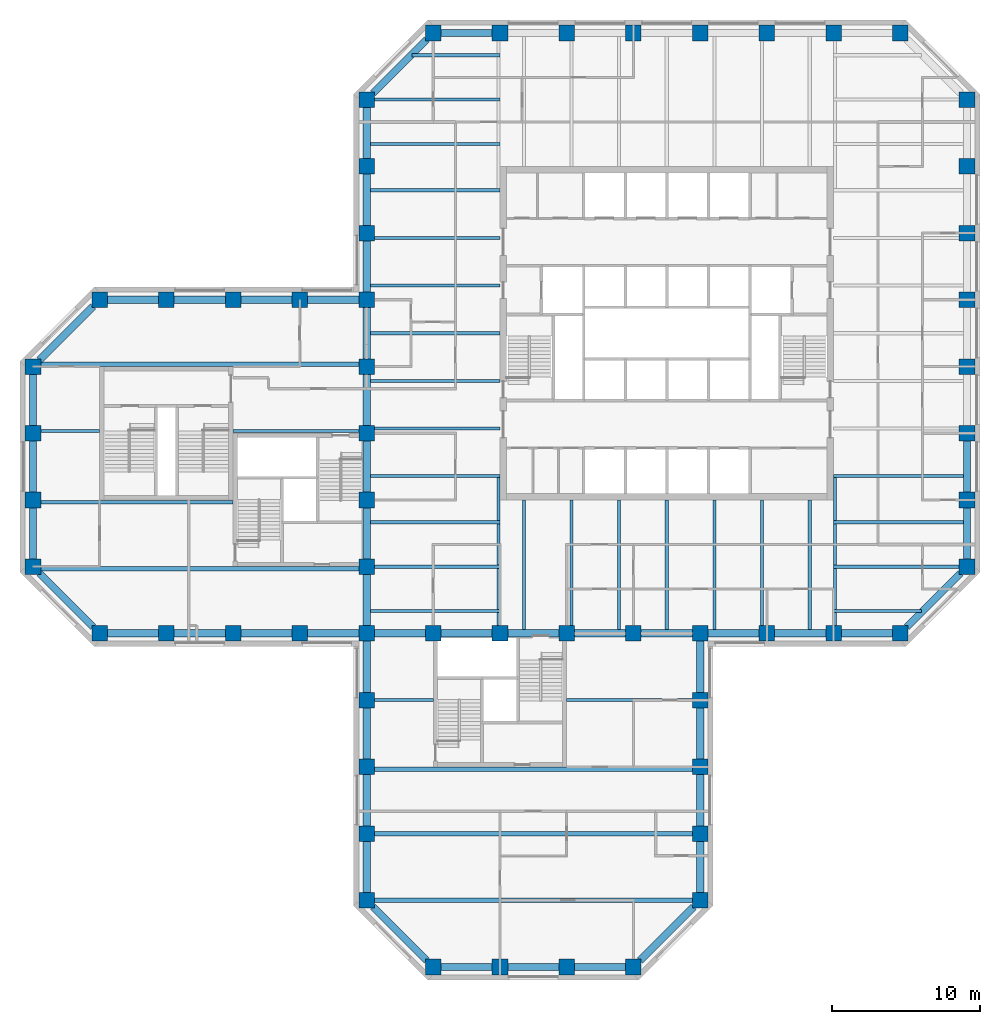
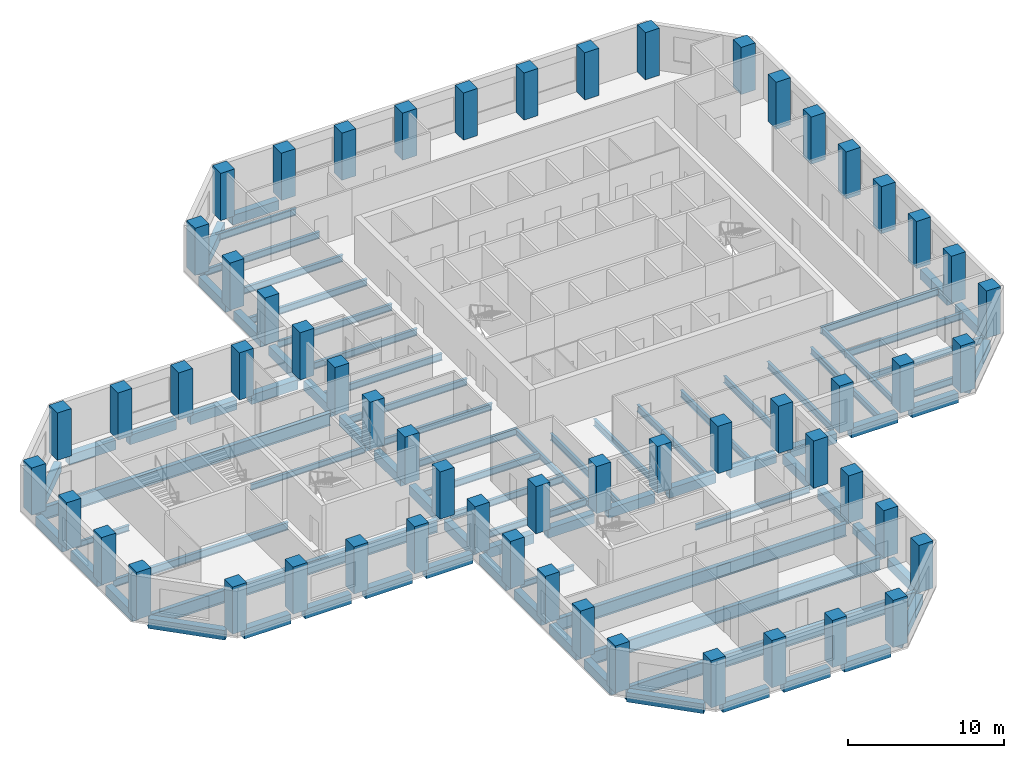
# One storey, part 1 of 11: 83 beams, 57 columns.
"""IFC4 building model written with IfcOpenShell, lengths in metres."""

from ifc_helpers import new_model, si_unit, direction, frame, origin, origin_2d, place, context, subcontext, project, spatial, rectangle, i_section, extrude, material, material_profile, profile_set, type_object, element, save


model = new_model("IFC4")

# Units and contexts
model_context = context("Model", 3, precision=1e-05, world=origin(), true_north=direction((0.0, 1.0)))
body_context = subcontext(model_context, "Body", "Model", "MODEL_VIEW")
ifc_project = project(units=[si_unit("LENGTHUNIT", "METRE"), si_unit("AREAUNIT", "SQUARE_METRE"), si_unit("VOLUMEUNIT", "CUBIC_METRE"), si_unit("PLANEANGLEUNIT", "RADIAN"), si_unit("MASSUNIT", "GRAM", prefix="KILO")], contexts=[model_context])

# Site, building, storey
site_placement = place(None, origin())
site = spatial("IfcSite", under=ifc_project, at=site_placement, CompositionType="ELEMENT")
building_placement = place(site_placement, origin())
building = spatial("IfcBuilding", under=site, at=building_placement, Name="Quoin Convention Tower", CompositionType="ELEMENT")
storey_placement = place(building_placement, frame((0.0, 0.0, 104.800048828125)))
storey = spatial("IfcBuildingStorey", under=building, at=storey_placement, Name="L27", CompositionType="ELEMENT", Elevation=104.800048828125)

# Columns
ifc_material_1 = material(Name="Concrete C65", Category="concrete")
ifc_material_profile_1 = material_profile(ifc_material_1, rectangle(XDim=1.050048828125, YDim=1.050048828125, at=origin_2d()), Name="RC 1050x1050")
ifc_profile_set_1 = profile_set([ifc_material_profile_1], Name="Concrete C65")
column_type = type_object("IfcColumnType", Name="RC 1050x1050 C65", PredefinedType="COLUMN", material=ifc_profile_set_1)
for number, where, z_axis, x_axis, name in (
    (1, (40.5, 18.0, 0.0), (0.0, 0.0, 1.0), (1.0, 0.0, 0.0), "col-L27-40500_18000"),
    (2, (45.0, 18.0, 0.0), (0.0, 0.0, 1.0), (1.0, 0.0, 0.0), "col-L27-45000_18000"),
    (3, (49.5, 18.0, 0.0), (0.0, 0.0, 1.0), (1.0, 0.0, 0.0), "col-L27-49500_18000"),
    (4, (54.0, 18.0, 0.0), (0.0, 0.0, 1.0), (1.0, 0.0, 0.0), "col-L27-54000_18000"),
    (5, (36.0, 22.5, 0.0), (0.0, 0.0, 1.0), (1.0, 0.0, 0.0), "col-L27-36000_22500"),
    (6, (58.5, 22.5, 0.0), (0.0, 0.0, 1.0), (1.0, 0.0, 0.0), "col-L27-58500_22500"),
    (7, (36.0, 27.0, 0.0), (0.0, 0.0, 1.0), (1.0, 0.0, 0.0), "col-L27-36000_27000"),
    (8, (58.5, 27.0, 0.0), (0.0, 0.0, 1.0), (1.0, 0.0, 0.0), "col-L27-58500_27000"),
    (9, (36.0, 31.5, 0.0), (0.0, 0.0, 1.0), (1.0, 0.0, 0.0), "col-L27-36000_31500"),
    (10, (58.5, 31.5, 0.0), (0.0, 0.0, 1.0), (1.0, 0.0, 0.0), "col-L27-58500_31500"),
    (11, (36.0, 36.0, 0.0), (0.0, 0.0, 1.0), (1.0, 0.0, 0.0), "col-L27-36000_36000"),
    (12, (58.5, 36.0, 0.0), (0.0, 0.0, 1.0), (1.0, 0.0, 0.0), "col-L27-58500_36000"),
    (13, (18.0, 40.5, 0.0), (0.0, 0.0, 1.0), (1.0, 0.0, 0.0), "col-L27-18000_40500"),
    (14, (22.5, 40.5, 0.0), (0.0, 0.0, 1.0), (1.0, 0.0, 0.0), "col-L27-22500_40500"),
    (15, (27.0, 40.5, 0.0), (0.0, 0.0, 1.0), (1.0, 0.0, 0.0), "col-L27-27000_40500"),
    (16, (31.5, 40.5, 0.0), (0.0, 0.0, 1.0), (1.0, 0.0, 0.0), "col-L27-31500_40500"),
    (17, (36.0, 40.5, 0.0), (0.0, 0.0, 1.0), (1.0, 0.0, 0.0), "col-L27-36000_40500"),
    (18, (40.5, 40.5, 0.0), (0.0, 0.0, 1.0), (1.0, 0.0, 0.0), "web-L27-40500_40500"),
    (19, (45.0, 40.5, 0.0), (0.0, 0.0, 1.0), (1.0, 0.0, 0.0), "web-L27-45000_40500"),
    (20, (49.5, 40.5, 0.0), (0.0, 0.0, 1.0), (1.0, 0.0, 0.0), "web-L27-49500_40500"),
    (21, (54.0, 40.5, 0.0), (0.0, 0.0, 1.0), (1.0, 0.0, 0.0), "web-L27-54000_40500"),
    (22, (58.5, 40.5, 0.0), (0.0, 0.0, 1.0), (1.0, 0.0, 0.0), "col-L27-58500_40500"),
    (23, (63.0, 40.5, 0.0), (0.0, 0.0, 1.0), (1.0, 0.0, 0.0), "col-L27-63000_40500"),
    (24, (67.5, 40.5, 0.0), (0.0, 0.0, 1.0), (1.0, 0.0, 0.0), "col-L27-67500_40500"),
    (25, (72.0, 40.5, 0.0), (0.0, 0.0, 1.0), (1.0, 0.0, 0.0), "col-L27-72000_40500"),
    (26, (13.5, 45.0, 0.0), (0.0, 0.0, 1.0), (1.0, 0.0, 0.0), "col-L27-13500_45000"),
    (27, (36.0, 45.0, 0.0), (0.0, 0.0, 1.0), (1.0, 0.0, 0.0), "web-L27-36000_45000"),
    (28, (76.5, 45.0, 0.0), (0.0, 0.0, 1.0), (1.0, 0.0, 0.0), "col-L27-76500_45000"),
    (29, (13.5, 49.5, 0.0), (0.0, 0.0, 1.0), (1.0, 0.0, 0.0), "col-L27-13500_49500"),
    (30, (36.0, 49.5, 0.0), (0.0, 0.0, 1.0), (1.0, 0.0, 0.0), "web-L27-36000_49500"),
    (31, (76.5, 49.5, 0.0), (0.0, 0.0, 1.0), (1.0, 0.0, 0.0), "col-L27-76500_49500"),
    (32, (13.5, 54.0, 0.0), (0.0, 0.0, 1.0), (1.0, 0.0, 0.0), "col-L27-13500_54000"),
    (33, (36.0, 54.0, 0.0), (0.0, 0.0, 1.0), (1.0, 0.0, 0.0), "web-L27-36000_54000"),
    (34, (76.5, 54.0, 0.0), (0.0, 0.0, 1.0), (1.0, 0.0, 0.0), "col-L27-76500_54000"),
    (35, (13.5, 58.5, 0.0), (0.0, 0.0, 1.0), (1.0, 0.0, 0.0), "col-L27-13500_58500"),
    (36, (36.0, 58.5, 0.0), (0.0, 0.0, 1.0), (1.0, 0.0, 0.0), "web-L27-36000_58500"),
    (37, (76.5, 58.5, 0.0), (0.0, 0.0, 1.0), (1.0, 0.0, 0.0), "col-L27-76500_58500"),
    (38, (18.0, 63.0, 0.0), (0.0, 0.0, 1.0), (1.0, 0.0, 0.0), "col-L27-18000_63000"),
    (39, (22.5, 63.0, 0.0), (0.0, 0.0, 1.0), (1.0, 0.0, 0.0), "col-L27-22500_63000"),
    (40, (27.0, 63.0, 0.0), (0.0, 0.0, 1.0), (1.0, 0.0, 0.0), "col-L27-27000_63000"),
    (41, (31.5, 63.0, 0.0), (0.0, 0.0, 1.0), (1.0, 0.0, 0.0), "col-L27-31500_63000"),
    (42, (36.0, 63.0, 0.0), (0.0, 0.0, 1.0), (1.0, 0.0, 0.0), "col-L27-36000_63000"),
    (43, (76.5, 63.0, 0.0), (0.0, 0.0, 1.0), (1.0, 0.0, 0.0), "col-L27-76500_63000"),
    (44, (36.0, 67.5, 0.0), (0.0, 0.0, 1.0), (1.0, 0.0, 0.0), "col-L27-36000_67500"),
    (45, (76.5, 67.5, 0.0), (0.0, 0.0, 1.0), (1.0, 0.0, 0.0), "col-L27-76500_67500"),
    (46, (36.0, 72.0, 0.0), (0.0, 0.0, 1.0), (1.0, 0.0, 0.0), "col-L27-36000_72000"),
    (47, (76.5, 72.0, 0.0), (0.0, 0.0, 1.0), (1.0, 0.0, 0.0), "col-L27-76500_72000"),
    (48, (36.0, 76.5, 0.0), (0.0, 0.0, 1.0), (1.0, 0.0, 0.0), "col-L27-36000_76500"),
    (49, (76.5, 76.5, 0.0), (0.0, 0.0, 1.0), (1.0, 0.0, 0.0), "col-L27-76500_76500"),
    (50, (40.5, 81.0, 0.0), (0.0, 0.0, 1.0), (1.0, 0.0, 0.0), "col-L27-40500_81000"),
    (51, (45.0, 81.0, 0.0), (0.0, 0.0, 1.0), (1.0, 0.0, 0.0), "col-L27-45000_81000"),
    (52, (49.5, 81.0, 0.0), (0.0, 0.0, 1.0), (1.0, 0.0, 0.0), "col-L27-49500_81000"),
    (53, (54.0, 81.0, 0.0), (0.0, 0.0, 1.0), (1.0, 0.0, 0.0), "col-L27-54000_81000"),
    (54, (58.5, 81.0, 0.0), (0.0, 0.0, 1.0), (1.0, 0.0, 0.0), "col-L27-58500_81000"),
    (55, (63.0, 81.0, 0.0), (0.0, 0.0, 1.0), (1.0, 0.0, 0.0), "col-L27-63000_81000"),
    (56, (67.5, 81.0, 0.0), (0.0, 0.0, 1.0), (1.0, 0.0, 0.0), "col-L27-67500_81000"),
    (57, (72.0, 81.0, 0.0), (0.0, 0.0, 1.0), (1.0, 0.0, 0.0), "col-L27-72000_81000"),
):
    element("IfcColumn", number, at=place(storey_placement, frame(where, z_axis=z_axis, x_axis=x_axis)), inside=storey, type_object=column_type, Name=name, PredefinedType="COLUMN", context=body_context, shape_type="SweptSolid", body=[
        extrude(rectangle(XDim=1.050048828125, YDim=1.050048828125, at=origin_2d()), origin(), (0.0, 0.0, 1.0), 3.699951171875),
    ])

# Beams
ifc_material_2 = material(Name="Steel Grade 300", Category="steel")
ifc_material_profile_2 = material_profile(ifc_material_2, i_section(OverallWidth=0.300048828125, OverallDepth=1.0, WebThickness=0.01611328125, FlangeThickness=0.02001953125, at=origin_2d()), Name="1000WB215")
ifc_profile_set_2 = profile_set([ifc_material_profile_2], Name="Steel Grade 300")
beam_type_1 = type_object("IfcBeamType", Name="1000WB215", PredefinedType="BEAM", material=ifc_profile_set_2)
for number, where, z_axis, x_axis, name in (
    (58, (36.52490234375, 22.5, -0.650146484375), (1.0, 0.0, 0.0), (0.0, 1.0, 0.0), "gir-L27-ST3-1-0"),
    (59, (36.52490234375, 27.0, -0.650146484375), (1.0, 0.0, 0.0), (0.0, 1.0, 0.0), "gir-L27-ST3-2-0"),
    (60, (36.52490234375, 31.35009765625, -0.650146484375), (1.0, 0.0, 0.0), (0.0, 1.0, 0.0), "gir-L27-ST3-3-0"),
    (61, (14.02490234375, 44.85009765625, -0.650146484375), (1.0, 0.0, 0.0), (0.0, 1.0, 0.0), "gir-L27-ST2-1-0"),
    (62, (14.02490234375, 58.64990234375, -0.650146484375), (1.0, 0.0, 0.0), (0.0, 1.0, 0.0), "gir-L27-ST2-4-0"),
):
    element("IfcBeam", number, at=place(storey_placement, frame(where, z_axis=z_axis, x_axis=x_axis)), inside=storey, type_object=beam_type_1, Name=name, PredefinedType="BEAM", context=body_context, shape_type="SweptSolid", body=[
        extrude(i_section(OverallWidth=0.300048828125, OverallDepth=1.0, WebThickness=0.01611328125, FlangeThickness=0.02001953125, at=origin_2d()), origin(), (0.0, 0.0, 1.0), 21.4501953125),
    ])
ifc_material_profile_3 = material_profile(ifc_material_2, i_section(OverallWidth=0.18994140625, OverallDepth=0.4541015625, WebThickness=0.008544921875, FlangeThickness=0.0126953125, FilletRadius=0.011474609375, at=origin_2d()), Name="460UB67.1")
ifc_profile_set_3 = profile_set([ifc_material_profile_3], Name="Steel Grade 300")
beam_type_2 = type_object("IfcBeamType", Name="460UB67.1", PredefinedType="BEAM", material=ifc_profile_set_3)
for number, where, z_axis, x_axis, name in (
    (63, (44.8955078125, 41.02490234375, -0.376953125), (0.0, 1.0, 0.0), (-1.0, 0.0, 0.0), "gir-L27-T1SW"),
    (64, (67.6044921875, 41.02490234375, -0.376953125), (0.0, 1.0, 0.0), (-1.0, 0.0, 0.0), "gir-L27-T1SE"),
):
    element("IfcBeam", number, at=place(storey_placement, frame(where, z_axis=z_axis, x_axis=x_axis)), inside=storey, type_object=beam_type_2, Name=name, PredefinedType="BEAM", context=body_context, shape_type="SweptSolid", body=[
        extrude(i_section(OverallWidth=0.18994140625, OverallDepth=0.4541015625, WebThickness=0.008544921875, FlangeThickness=0.0126953125, FilletRadius=0.011474609375, at=origin_2d()), origin(), (0.0, 0.0, 1.0), 9.977783203125),
    ])
beam_1_placement = place(storey_placement, frame((36.52490234375, 36.0, -0.376953125), z_axis=(1.0, 0.0, 0.0), x_axis=(0.0, 1.0, 0.0)))
element("IfcBeam", 65, at=beam_1_placement, inside=storey, type_object=beam_type_2, Name="gir-L27-ST3-4-0", PredefinedType="BEAM", context=body_context, shape_type="SweptSolid", body=[
    extrude(i_section(OverallWidth=0.18994140625, OverallDepth=0.4541015625, WebThickness=0.008544921875, FlangeThickness=0.0126953125, FilletRadius=0.011474609375, at=origin_2d()), origin(), (0.0, 0.0, 1.0), 3.97509765625),
])
beam_2_placement = place(storey_placement, frame((49.5, 36.0, -0.376953125), z_axis=(1.0, 0.0, 0.0), x_axis=(0.0, 1.0, 0.0)))
element("IfcBeam", 66, at=beam_2_placement, inside=storey, type_object=beam_type_2, Name="gir-L27-ST3-4-1", PredefinedType="BEAM", context=body_context, shape_type="SweptSolid", body=[
    extrude(i_section(OverallWidth=0.18994140625, OverallDepth=0.4541015625, WebThickness=0.008544921875, FlangeThickness=0.0126953125, FilletRadius=0.011474609375, at=origin_2d()), origin(), (0.0, 0.0, 1.0), 8.47509765625),
])
beam_3_placement = place(storey_placement, frame((14.02490234375, 54.14990234375, -0.376953125), z_axis=(1.0, 0.0, 0.0), x_axis=(0.0, 1.0, 0.0)))
element("IfcBeam", 67, at=beam_3_placement, inside=storey, type_object=beam_type_2, Name="gir-L27-ST2-3-0", PredefinedType="BEAM", context=body_context, shape_type="SweptSolid", body=[
    extrude(i_section(OverallWidth=0.18994140625, OverallDepth=0.4541015625, WebThickness=0.008544921875, FlangeThickness=0.0126953125, FilletRadius=0.011474609375, at=origin_2d()), origin(), (0.0, 0.0, 1.0), 3.97509765625),
])
beam_4_placement = place(storey_placement, frame((27.0, 54.14990234375, -0.376953125), z_axis=(1.0, 0.0, 0.0), x_axis=(0.0, 1.0, 0.0)))
element("IfcBeam", 68, at=beam_4_placement, inside=storey, type_object=beam_type_2, Name="gir-L27-ST2-3-1", PredefinedType="BEAM", context=body_context, shape_type="SweptSolid", body=[
    extrude(i_section(OverallWidth=0.18994140625, OverallDepth=0.4541015625, WebThickness=0.008544921875, FlangeThickness=0.0126953125, FilletRadius=0.011474609375, at=origin_2d()), origin(), (0.0, 0.0, 1.0), 8.47509765625),
])
ifc_material_profile_4 = material_profile(ifc_material_2, i_section(OverallWidth=0.208984375, OverallDepth=0.528076171875, WebThickness=0.009521484375, FlangeThickness=0.01318359375, FilletRadius=0.013916015625, at=origin_2d()), Name="530UB82.0")
ifc_profile_set_4 = profile_set([ifc_material_profile_4], Name="Steel Grade 300")
beam_type_3 = type_object("IfcBeamType", Name="530UB82.0", PredefinedType="BEAM", material=ifc_profile_set_4)
beam_5_placement = place(storey_placement, frame((36.25, 51.107177734375, -0.4140625), z_axis=(1.0, 0.0, 0.0), x_axis=(0.0, 1.0, 0.0)))
element("IfcBeam", 69, at=beam_5_placement, inside=storey, type_object=beam_type_3, Name="bm-L27-T1W0", PredefinedType="BEAM", context=body_context, shape_type="SweptSolid", body=[
    extrude(i_section(OverallWidth=0.208984375, OverallDepth=0.528076171875, WebThickness=0.009521484375, FlangeThickness=0.01318359375, FilletRadius=0.013916015625, at=origin_2d()), origin(), (0.0, 0.0, 1.0), 8.75),
])
beam_6_placement = place(storey_placement, frame((36.52490234375, 54.3212890625, -0.4140625), z_axis=(1.0, 0.0, 0.0), x_axis=(0.0, 1.0, 0.0)))
element("IfcBeam", 70, at=beam_6_placement, inside=storey, type_object=beam_type_3, Name="bm-L27-T1W1", PredefinedType="BEAM", context=body_context, shape_type="SweptSolid", body=[
    extrude(i_section(OverallWidth=0.208984375, OverallDepth=0.528076171875, WebThickness=0.009521484375, FlangeThickness=0.01318359375, FilletRadius=0.013916015625, at=origin_2d()), origin(), (0.0, 0.0, 1.0), 8.47509765625),
])
for number, where, z_axis, x_axis, name in (
    (71, (36.25, 57.53564453125, -0.4140625), (1.0, 0.0, 0.0), (0.0, 1.0, 0.0), "bm-L27-T1W2"),
    (72, (36.25, 60.75, -0.4140625), (1.0, 0.0, 0.0), (0.0, 1.0, 0.0), "bm-L27-T1W3"),
    (73, (36.25, 63.96435546875, -0.4140625), (1.0, 0.0, 0.0), (0.0, 1.0, 0.0), "bm-L27-T1W4"),
):
    element("IfcBeam", number, at=place(storey_placement, frame(where, z_axis=z_axis, x_axis=x_axis)), inside=storey, type_object=beam_type_3, Name=name, PredefinedType="BEAM", context=body_context, shape_type="SweptSolid", body=[
        extrude(i_section(OverallWidth=0.208984375, OverallDepth=0.528076171875, WebThickness=0.009521484375, FlangeThickness=0.01318359375, FilletRadius=0.013916015625, at=origin_2d()), origin(), (0.0, 0.0, 1.0), 8.75),
    ])
beam_7_placement = place(storey_placement, frame((36.52490234375, 67.1787109375, -0.4140625), z_axis=(1.0, 0.0, 0.0), x_axis=(0.0, 1.0, 0.0)))
element("IfcBeam", 74, at=beam_7_placement, inside=storey, type_object=beam_type_3, Name="bm-L27-T1W5", PredefinedType="BEAM", context=body_context, shape_type="SweptSolid", body=[
    extrude(i_section(OverallWidth=0.208984375, OverallDepth=0.528076171875, WebThickness=0.009521484375, FlangeThickness=0.01318359375, FilletRadius=0.013916015625, at=origin_2d()), origin(), (0.0, 0.0, 1.0), 8.47509765625),
])
for number, where, z_axis, x_axis, name in (
    (75, (36.25, 70.392822265625, -0.4140625), (1.0, 0.0, 0.0), (0.0, 1.0, 0.0), "bm-L27-T1W6"),
    (76, (67.5, 51.107177734375, -0.4140625), (1.0, 0.0, 0.0), (0.0, 1.0, 0.0), "bm-L27-T1E0"),
    (77, (46.607177734375, 40.75, -0.4140625), (0.0, 1.0, 0.0), (-1.0, 0.0, 0.0), "bm-L27-T1S0"),
):
    element("IfcBeam", number, at=place(storey_placement, frame(where, z_axis=z_axis, x_axis=x_axis)), inside=storey, type_object=beam_type_3, Name=name, PredefinedType="BEAM", context=body_context, shape_type="SweptSolid", body=[
        extrude(i_section(OverallWidth=0.208984375, OverallDepth=0.528076171875, WebThickness=0.009521484375, FlangeThickness=0.01318359375, FilletRadius=0.013916015625, at=origin_2d()), origin(), (0.0, 0.0, 1.0), 8.75),
    ])
beam_8_placement = place(storey_placement, frame((49.8212890625, 41.02490234375, -0.4140625), z_axis=(0.0, 1.0, 0.0), x_axis=(-1.0, 0.0, 0.0)))
element("IfcBeam", 78, at=beam_8_placement, inside=storey, type_object=beam_type_3, Name="bm-L27-T1S1", PredefinedType="BEAM", context=body_context, shape_type="SweptSolid", body=[
    extrude(i_section(OverallWidth=0.208984375, OverallDepth=0.528076171875, WebThickness=0.009521484375, FlangeThickness=0.01318359375, FilletRadius=0.013916015625, at=origin_2d()), origin(), (0.0, 0.0, 1.0), 8.47509765625),
])
for number, where, z_axis, x_axis, name in (
    (79, (53.03564453125, 40.75, -0.4140625), (0.0, 1.0, 0.0), (-1.0, 0.0, 0.0), "bm-L27-T1S2"),
    (80, (56.25, 40.75, -0.4140625), (0.0, 1.0, 0.0), (-1.0, 0.0, 0.0), "bm-L27-T1S3"),
    (81, (59.46435546875, 40.75, -0.4140625), (0.0, 1.0, 0.0), (-1.0, 0.0, 0.0), "bm-L27-T1S4"),
):
    element("IfcBeam", number, at=place(storey_placement, frame(where, z_axis=z_axis, x_axis=x_axis)), inside=storey, type_object=beam_type_3, Name=name, PredefinedType="BEAM", context=body_context, shape_type="SweptSolid", body=[
        extrude(i_section(OverallWidth=0.208984375, OverallDepth=0.528076171875, WebThickness=0.009521484375, FlangeThickness=0.01318359375, FilletRadius=0.013916015625, at=origin_2d()), origin(), (0.0, 0.0, 1.0), 8.75),
    ])
beam_9_placement = place(storey_placement, frame((62.6787109375, 41.02490234375, -0.4140625), z_axis=(0.0, 1.0, 0.0), x_axis=(-1.0, 0.0, 0.0)))
element("IfcBeam", 82, at=beam_9_placement, inside=storey, type_object=beam_type_3, Name="bm-L27-T1S5", PredefinedType="BEAM", context=body_context, shape_type="SweptSolid", body=[
    extrude(i_section(OverallWidth=0.208984375, OverallDepth=0.528076171875, WebThickness=0.009521484375, FlangeThickness=0.01318359375, FilletRadius=0.013916015625, at=origin_2d()), origin(), (0.0, 0.0, 1.0), 8.47509765625),
])
for number, where, z_axis, x_axis, name in (
    (83, (65.892822265625, 40.75, -0.4140625), (0.0, 1.0, 0.0), (-1.0, 0.0, 0.0), "bm-L27-T1S6"),
    (84, (36.25, 42.0, -0.4140625), (1.0, 0.0, 0.0), (0.0, 1.0, 0.0), "bm-L27-T1SW0"),
):
    element("IfcBeam", number, at=place(storey_placement, frame(where, z_axis=z_axis, x_axis=x_axis)), inside=storey, type_object=beam_type_3, Name=name, PredefinedType="BEAM", context=body_context, shape_type="SweptSolid", body=[
        extrude(i_section(OverallWidth=0.208984375, OverallDepth=0.528076171875, WebThickness=0.009521484375, FlangeThickness=0.01318359375, FilletRadius=0.013916015625, at=origin_2d()), origin(), (0.0, 0.0, 1.0), 8.75),
    ])
beam_10_placement = place(storey_placement, frame((36.52490234375, 45.0, -0.4140625), z_axis=(1.0, 0.0, 0.0), x_axis=(0.0, 1.0, 0.0)))
element("IfcBeam", 85, at=beam_10_placement, inside=storey, type_object=beam_type_3, Name="bm-L27-T1SW1", PredefinedType="BEAM", context=body_context, shape_type="SweptSolid", body=[
    extrude(i_section(OverallWidth=0.208984375, OverallDepth=0.528076171875, WebThickness=0.009521484375, FlangeThickness=0.01318359375, FilletRadius=0.013916015625, at=origin_2d()), origin(), (0.0, 0.0, 1.0), 8.47509765625),
])
beam_11_placement = place(storey_placement, frame((36.25, 48.0, -0.4140625), z_axis=(1.0, 0.0, 0.0), x_axis=(0.0, 1.0, 0.0)))
element("IfcBeam", 86, at=beam_11_placement, inside=storey, type_object=beam_type_3, Name="bm-L27-T1SW2", PredefinedType="BEAM", context=body_context, shape_type="SweptSolid", body=[
    extrude(i_section(OverallWidth=0.208984375, OverallDepth=0.528076171875, WebThickness=0.009521484375, FlangeThickness=0.01318359375, FilletRadius=0.013916015625, at=origin_2d()), origin(), (0.0, 0.0, 1.0), 8.75),
])
beam_12_placement = place(storey_placement, frame((67.5, 42.0, -0.4140625), z_axis=(1.0, 0.0, 0.0), x_axis=(0.0, 1.0, 0.0)))
element("IfcBeam", 87, at=beam_12_placement, inside=storey, type_object=beam_type_3, Name="bm-L27-T1SE0", PredefinedType="BEAM", context=body_context, shape_type="SweptSolid", body=[
    extrude(i_section(OverallWidth=0.208984375, OverallDepth=0.528076171875, WebThickness=0.009521484375, FlangeThickness=0.01318359375, FilletRadius=0.013916015625, at=origin_2d()), origin(), (0.0, 0.0, 1.0), 5.927734375),
])
beam_13_placement = place(storey_placement, frame((67.5, 45.0, -0.4140625), z_axis=(1.0, 0.0, 0.0), x_axis=(0.0, 1.0, 0.0)))
element("IfcBeam", 88, at=beam_13_placement, inside=storey, type_object=beam_type_3, Name="bm-L27-T1SE1", PredefinedType="BEAM", context=body_context, shape_type="SweptSolid", body=[
    extrude(i_section(OverallWidth=0.208984375, OverallDepth=0.528076171875, WebThickness=0.009521484375, FlangeThickness=0.01318359375, FilletRadius=0.013916015625, at=origin_2d()), origin(), (0.0, 0.0, 1.0), 8.47509765625),
])
beam_14_placement = place(storey_placement, frame((67.5, 48.0, -0.4140625), z_axis=(1.0, 0.0, 0.0), x_axis=(0.0, 1.0, 0.0)))
element("IfcBeam", 89, at=beam_14_placement, inside=storey, type_object=beam_type_3, Name="bm-L27-T1SE2", PredefinedType="BEAM", context=body_context, shape_type="SweptSolid", body=[
    extrude(i_section(OverallWidth=0.208984375, OverallDepth=0.528076171875, WebThickness=0.009521484375, FlangeThickness=0.01318359375, FilletRadius=0.013916015625, at=origin_2d()), origin(), (0.0, 0.0, 1.0), 8.75),
])
beam_15_placement = place(storey_placement, frame((39.072265625, 79.5, -0.4140625), z_axis=(1.0, 0.0, 0.0), x_axis=(0.0, 1.0, 0.0)))
element("IfcBeam", 90, at=beam_15_placement, inside=storey, type_object=beam_type_3, Name="bm-L27-T1NW0", PredefinedType="BEAM", context=body_context, shape_type="SweptSolid", body=[
    extrude(i_section(OverallWidth=0.208984375, OverallDepth=0.528076171875, WebThickness=0.009521484375, FlangeThickness=0.01318359375, FilletRadius=0.013916015625, at=origin_2d()), origin(), (0.0, 0.0, 1.0), 5.927734375),
])
beam_16_placement = place(storey_placement, frame((36.52490234375, 76.5, -0.4140625), z_axis=(1.0, 0.0, 0.0), x_axis=(0.0, 1.0, 0.0)))
element("IfcBeam", 91, at=beam_16_placement, inside=storey, type_object=beam_type_3, Name="bm-L27-T1NW1", PredefinedType="BEAM", context=body_context, shape_type="SweptSolid", body=[
    extrude(i_section(OverallWidth=0.208984375, OverallDepth=0.528076171875, WebThickness=0.009521484375, FlangeThickness=0.01318359375, FilletRadius=0.013916015625, at=origin_2d()), origin(), (0.0, 0.0, 1.0), 8.47509765625),
])
beam_17_placement = place(storey_placement, frame((36.25, 73.5, -0.4140625), z_axis=(1.0, 0.0, 0.0), x_axis=(0.0, 1.0, 0.0)))
element("IfcBeam", 92, at=beam_17_placement, inside=storey, type_object=beam_type_3, Name="bm-L27-T1NW2", PredefinedType="BEAM", context=body_context, shape_type="SweptSolid", body=[
    extrude(i_section(OverallWidth=0.208984375, OverallDepth=0.528076171875, WebThickness=0.009521484375, FlangeThickness=0.01318359375, FilletRadius=0.013916015625, at=origin_2d()), origin(), (0.0, 0.0, 1.0), 8.75),
])
ifc_material_profile_5 = material_profile(ifc_material_2, i_section(OverallWidth=0.22802734375, OverallDepth=0.60205078125, WebThickness=0.010498046875, FlangeThickness=0.014892578125, FilletRadius=0.013916015625, at=origin_2d()), Name="610UB101")
ifc_profile_set_5 = profile_set([ifc_material_profile_5], Name="Steel Grade 300")
beam_type_4 = type_object("IfcBeamType", Name="610UB101", PredefinedType="BEAM", material=ifc_profile_set_5)
beam_18_placement = place(storey_placement, frame((14.02490234375, 49.35009765625, -0.450927734375), z_axis=(1.0, 0.0, 0.0), x_axis=(0.0, 1.0, 0.0)))
element("IfcBeam", 93, at=beam_18_placement, inside=storey, type_object=beam_type_4, Name="gir-L27-ST2-2-0", PredefinedType="BEAM", context=body_context, shape_type="SweptSolid", body=[
    extrude(i_section(OverallWidth=0.22802734375, OverallDepth=0.60205078125, WebThickness=0.010498046875, FlangeThickness=0.014892578125, FilletRadius=0.013916015625, at=origin_2d()), origin(), (0.0, 0.0, 1.0), 12.97509765625),
])
ifc_material_profile_6 = material_profile(ifc_material_1, rectangle(XDim=0.5, YDim=0.75, at=origin_2d()), Name="RC 500x750")
ifc_profile_set_6 = profile_set([ifc_material_profile_6], Name="Concrete C65")
beam_type_5 = type_object("IfcBeamType", Name="RC 500x750 C65", PredefinedType="SPANDREL", material=ifc_profile_set_6)
for number, where, z_axis, x_axis, name in (
    (94, (59.02490234375, 40.5, -0.525146484375), (1.0, 0.0, 0.0), (0.0, 1.0, 0.0), "spd-L27-58500_40500-63000_40500"),
    (95, (63.52490234375, 40.5, -0.525146484375), (1.0, 0.0, 0.0), (0.0, 1.0, 0.0), "spd-L27-63000_40500-67500_40500"),
    (96, (68.02490234375, 40.5, -0.525146484375), (1.0, 0.0, 0.0), (0.0, 1.0, 0.0), "spd-L27-67500_40500-72000_40500"),
):
    element("IfcBeam", number, at=place(storey_placement, frame(where, z_axis=z_axis, x_axis=x_axis)), inside=storey, type_object=beam_type_5, Name=name, PredefinedType="SPANDREL", context=body_context, shape_type="SweptSolid", body=[
        extrude(rectangle(XDim=0.5, YDim=0.75, at=origin_2d()), origin(), (0.0, 0.0, 1.0), 3.4501953125),
    ])
beam_19_placement = place(storey_placement, frame((72.440185546875, 40.940185546875, -0.525146484375), z_axis=(0.707106781187, 0.707106781187, 0.0), x_axis=(-0.707106781187, 0.707106781187, 0.0)))
element("IfcBeam", 97, at=beam_19_placement, inside=storey, type_object=beam_type_5, Name="spd-L27-72000_40500-76500_45000", PredefinedType="SPANDREL", context=body_context, shape_type="SweptSolid", body=[
    extrude(rectangle(XDim=0.5, YDim=0.75, at=origin_2d()), origin(), (0.0, 0.0, 1.0), 5.118896484375),
])
for number, where, z_axis, x_axis, name in (
    (98, (76.5, 45.52490234375, -0.525146484375), (0.0, 1.0, 0.0), (-1.0, 0.0, 0.0), "spd-L27-76500_45000-76500_49500"),
    (99, (76.5, 50.02490234375, -0.525146484375), (0.0, 1.0, 0.0), (-1.0, 0.0, 0.0), "spd-L27-76500_49500-76500_54000"),
    (100, (44.47509765625, 81.0, -0.525146484375), (-1.0, 0.0, 0.0), (0.0, -1.0, 0.0), "spd-L27-45000_81000-40500_81000"),
):
    element("IfcBeam", number, at=place(storey_placement, frame(where, z_axis=z_axis, x_axis=x_axis)), inside=storey, type_object=beam_type_5, Name=name, PredefinedType="SPANDREL", context=body_context, shape_type="SweptSolid", body=[
        extrude(rectangle(XDim=0.5, YDim=0.75, at=origin_2d()), origin(), (0.0, 0.0, 1.0), 3.4501953125),
    ])
beam_20_placement = place(storey_placement, frame((40.059814453125, 80.559814453125, -0.525146484375), z_axis=(-0.707106781187, -0.707106781187, 0.0), x_axis=(0.707106781187, -0.707106781187, 0.0)))
element("IfcBeam", 101, at=beam_20_placement, inside=storey, type_object=beam_type_5, Name="spd-L27-40500_81000-36000_76500", PredefinedType="SPANDREL", context=body_context, shape_type="SweptSolid", body=[
    extrude(rectangle(XDim=0.5, YDim=0.75, at=origin_2d()), origin(), (0.0, 0.0, 1.0), 5.118896484375),
])
for number, where, z_axis, x_axis, name in (
    (102, (36.0, 75.97509765625, -0.525146484375), (0.0, -1.0, 0.0), (1.0, 0.0, 0.0), "spd-L27-36000_76500-36000_72000"),
    (103, (36.0, 71.47509765625, -0.525146484375), (0.0, -1.0, 0.0), (1.0, 0.0, 0.0), "spd-L27-36000_72000-36000_67500"),
    (104, (36.0, 66.97509765625, -0.525146484375), (0.0, -1.0, 0.0), (1.0, 0.0, 0.0), "spd-L27-36000_67500-36000_63000"),
    (105, (35.47509765625, 63.0, -0.525146484375), (-1.0, 0.0, 0.0), (0.0, -1.0, 0.0), "spd-L27-36000_63000-31500_63000"),
    (106, (30.97509765625, 63.0, -0.525146484375), (-1.0, 0.0, 0.0), (0.0, -1.0, 0.0), "spd-L27-31500_63000-27000_63000"),
    (107, (26.47509765625, 63.0, -0.525146484375), (-1.0, 0.0, 0.0), (0.0, -1.0, 0.0), "spd-L27-27000_63000-22500_63000"),
    (108, (21.97509765625, 63.0, -0.525146484375), (-1.0, 0.0, 0.0), (0.0, -1.0, 0.0), "spd-L27-22500_63000-18000_63000"),
):
    element("IfcBeam", number, at=place(storey_placement, frame(where, z_axis=z_axis, x_axis=x_axis)), inside=storey, type_object=beam_type_5, Name=name, PredefinedType="SPANDREL", context=body_context, shape_type="SweptSolid", body=[
        extrude(rectangle(XDim=0.5, YDim=0.75, at=origin_2d()), origin(), (0.0, 0.0, 1.0), 3.4501953125),
    ])
beam_21_placement = place(storey_placement, frame((17.559814453125, 62.559814453125, -0.525146484375), z_axis=(-0.707106781187, -0.707106781187, 0.0), x_axis=(0.707106781187, -0.707106781187, 0.0)))
element("IfcBeam", 109, at=beam_21_placement, inside=storey, type_object=beam_type_5, Name="spd-L27-18000_63000-13500_58500", PredefinedType="SPANDREL", context=body_context, shape_type="SweptSolid", body=[
    extrude(rectangle(XDim=0.5, YDim=0.75, at=origin_2d()), origin(), (0.0, 0.0, 1.0), 5.118896484375),
])
for number, where, z_axis, x_axis, name in (
    (110, (13.5, 57.97509765625, -0.525146484375), (0.0, -1.0, 0.0), (1.0, 0.0, 0.0), "spd-L27-13500_58500-13500_54000"),
    (111, (13.5, 53.47509765625, -0.525146484375), (0.0, -1.0, 0.0), (1.0, 0.0, 0.0), "spd-L27-13500_54000-13500_49500"),
    (112, (13.5, 48.97509765625, -0.525146484375), (0.0, -1.0, 0.0), (1.0, 0.0, 0.0), "spd-L27-13500_49500-13500_45000"),
):
    element("IfcBeam", number, at=place(storey_placement, frame(where, z_axis=z_axis, x_axis=x_axis)), inside=storey, type_object=beam_type_5, Name=name, PredefinedType="SPANDREL", context=body_context, shape_type="SweptSolid", body=[
        extrude(rectangle(XDim=0.5, YDim=0.75, at=origin_2d()), origin(), (0.0, 0.0, 1.0), 3.4501953125),
    ])
beam_22_placement = place(storey_placement, frame((13.940185546875, 44.559814453125, -0.525146484375), z_axis=(0.707106781187, -0.707106781187, 0.0), x_axis=(0.707106781187, 0.707106781187, 0.0)))
element("IfcBeam", 113, at=beam_22_placement, inside=storey, type_object=beam_type_5, Name="spd-L27-13500_45000-18000_40500", PredefinedType="SPANDREL", context=body_context, shape_type="SweptSolid", body=[
    extrude(rectangle(XDim=0.5, YDim=0.75, at=origin_2d()), origin(), (0.0, 0.0, 1.0), 5.118896484375),
])
for number, where, z_axis, x_axis, name in (
    (114, (18.52490234375, 40.5, -0.525146484375), (1.0, 0.0, 0.0), (0.0, 1.0, 0.0), "spd-L27-18000_40500-22500_40500"),
    (115, (23.02490234375, 40.5, -0.525146484375), (1.0, 0.0, 0.0), (0.0, 1.0, 0.0), "spd-L27-22500_40500-27000_40500"),
    (116, (27.52490234375, 40.5, -0.525146484375), (1.0, 0.0, 0.0), (0.0, 1.0, 0.0), "spd-L27-27000_40500-31500_40500"),
    (117, (32.02490234375, 40.5, -0.525146484375), (1.0, 0.0, 0.0), (0.0, 1.0, 0.0), "spd-L27-31500_40500-36000_40500"),
    (118, (36.0, 39.97509765625, -0.525146484375), (0.0, -1.0, 0.0), (1.0, 0.0, 0.0), "spd-L27-36000_40500-36000_36000"),
    (119, (36.0, 35.47509765625, -0.525146484375), (0.0, -1.0, 0.0), (1.0, 0.0, 0.0), "spd-L27-36000_36000-36000_31500"),
    (120, (36.0, 30.97509765625, -0.525146484375), (0.0, -1.0, 0.0), (1.0, 0.0, 0.0), "spd-L27-36000_31500-36000_27000"),
    (121, (36.0, 26.47509765625, -0.525146484375), (0.0, -1.0, 0.0), (1.0, 0.0, 0.0), "spd-L27-36000_27000-36000_22500"),
):
    element("IfcBeam", number, at=place(storey_placement, frame(where, z_axis=z_axis, x_axis=x_axis)), inside=storey, type_object=beam_type_5, Name=name, PredefinedType="SPANDREL", context=body_context, shape_type="SweptSolid", body=[
        extrude(rectangle(XDim=0.5, YDim=0.75, at=origin_2d()), origin(), (0.0, 0.0, 1.0), 3.4501953125),
    ])
beam_23_placement = place(storey_placement, frame((36.440185546875, 22.059814453125, -0.525146484375), z_axis=(0.707106781187, -0.707106781187, 0.0), x_axis=(0.707106781187, 0.707106781187, 0.0)))
element("IfcBeam", 122, at=beam_23_placement, inside=storey, type_object=beam_type_5, Name="spd-L27-36000_22500-40500_18000", PredefinedType="SPANDREL", context=body_context, shape_type="SweptSolid", body=[
    extrude(rectangle(XDim=0.5, YDim=0.75, at=origin_2d()), origin(), (0.0, 0.0, 1.0), 5.118896484375),
])
for number, where, z_axis, x_axis, name in (
    (123, (41.02490234375, 18.0, -0.525146484375), (1.0, 0.0, 0.0), (0.0, 1.0, 0.0), "spd-L27-40500_18000-45000_18000"),
    (124, (45.52490234375, 18.0, -0.525146484375), (1.0, 0.0, 0.0), (0.0, 1.0, 0.0), "spd-L27-45000_18000-49500_18000"),
    (125, (50.02490234375, 18.0, -0.525146484375), (1.0, 0.0, 0.0), (0.0, 1.0, 0.0), "spd-L27-49500_18000-54000_18000"),
):
    element("IfcBeam", number, at=place(storey_placement, frame(where, z_axis=z_axis, x_axis=x_axis)), inside=storey, type_object=beam_type_5, Name=name, PredefinedType="SPANDREL", context=body_context, shape_type="SweptSolid", body=[
        extrude(rectangle(XDim=0.5, YDim=0.75, at=origin_2d()), origin(), (0.0, 0.0, 1.0), 3.4501953125),
    ])
beam_24_placement = place(storey_placement, frame((54.440185546875, 18.440185546875, -0.525146484375), z_axis=(0.707106781187, 0.707106781187, 0.0), x_axis=(-0.707106781187, 0.707106781187, 0.0)))
element("IfcBeam", 126, at=beam_24_placement, inside=storey, type_object=beam_type_5, Name="spd-L27-54000_18000-58500_22500", PredefinedType="SPANDREL", context=body_context, shape_type="SweptSolid", body=[
    extrude(rectangle(XDim=0.5, YDim=0.75, at=origin_2d()), origin(), (0.0, 0.0, 1.0), 5.118896484375),
])
for number, where, z_axis, x_axis, name in (
    (127, (58.5, 23.02490234375, -0.525146484375), (0.0, 1.0, 0.0), (-1.0, 0.0, 0.0), "spd-L27-58500_22500-58500_27000"),
    (128, (58.5, 27.52490234375, -0.525146484375), (0.0, 1.0, 0.0), (-1.0, 0.0, 0.0), "spd-L27-58500_27000-58500_31500"),
    (129, (58.5, 32.02490234375, -0.525146484375), (0.0, 1.0, 0.0), (-1.0, 0.0, 0.0), "spd-L27-58500_31500-58500_36000"),
    (130, (58.5, 36.52490234375, -0.525146484375), (0.0, 1.0, 0.0), (-1.0, 0.0, 0.0), "spd-L27-58500_36000-58500_40500"),
    (131, (36.52490234375, 40.5, -0.525146484375), (1.0, 0.0, 0.0), (0.0, 1.0, 0.0), "spd-L27-36000_40500-40500_40500"),
    (132, (41.02490234375, 40.5, -0.525146484375), (1.0, 0.0, 0.0), (0.0, 1.0, 0.0), "spd-L27-40500_40500-45000_40500"),
    (133, (45.52490234375, 40.5, -0.525146484375), (1.0, 0.0, 0.0), (0.0, 1.0, 0.0), "spd-L27-45000_40500-49500_40500"),
    (134, (50.02490234375, 40.5, -0.525146484375), (1.0, 0.0, 0.0), (0.0, 1.0, 0.0), "spd-L27-49500_40500-54000_40500"),
    (135, (54.52490234375, 40.5, -0.525146484375), (1.0, 0.0, 0.0), (0.0, 1.0, 0.0), "spd-L27-54000_40500-58500_40500"),
    (136, (36.0, 41.02490234375, -0.525146484375), (0.0, 1.0, 0.0), (-1.0, 0.0, 0.0), "spd-L27-36000_40500-36000_45000"),
    (137, (36.0, 45.52490234375, -0.525146484375), (0.0, 1.0, 0.0), (-1.0, 0.0, 0.0), "spd-L27-36000_45000-36000_49500"),
    (138, (36.0, 50.02490234375, -0.525146484375), (0.0, 1.0, 0.0), (-1.0, 0.0, 0.0), "spd-L27-36000_49500-36000_54000"),
    (139, (36.0, 54.52490234375, -0.525146484375), (0.0, 1.0, 0.0), (-1.0, 0.0, 0.0), "spd-L27-36000_54000-36000_58500"),
    (140, (36.0, 59.02490234375, -0.525146484375), (0.0, 1.0, 0.0), (-1.0, 0.0, 0.0), "spd-L27-36000_58500-36000_63000"),
):
    element("IfcBeam", number, at=place(storey_placement, frame(where, z_axis=z_axis, x_axis=x_axis)), inside=storey, type_object=beam_type_5, Name=name, PredefinedType="SPANDREL", context=body_context, shape_type="SweptSolid", body=[
        extrude(rectangle(XDim=0.5, YDim=0.75, at=origin_2d()), origin(), (0.0, 0.0, 1.0), 3.4501953125),
    ])

save(model, "model.ifc")
